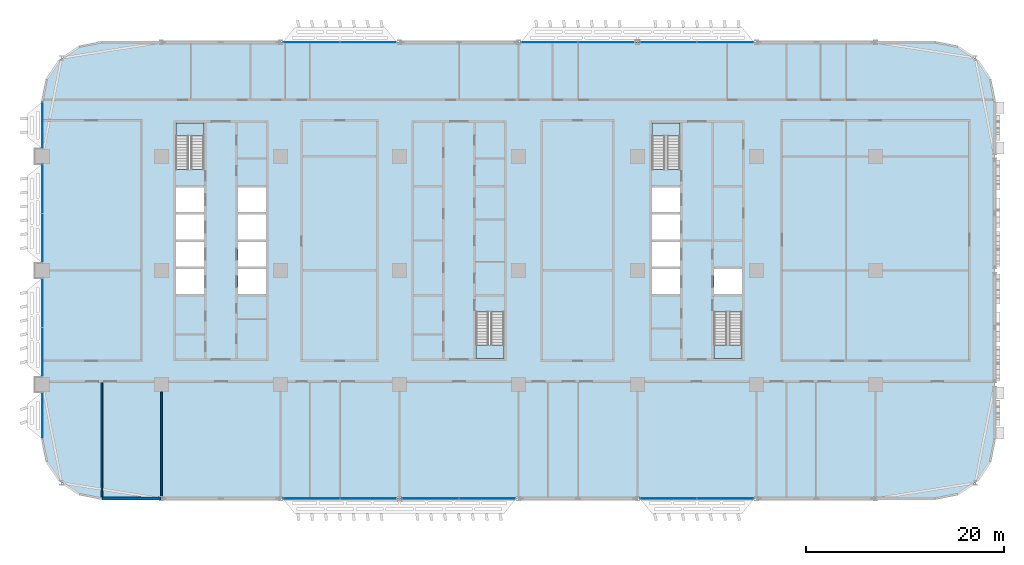
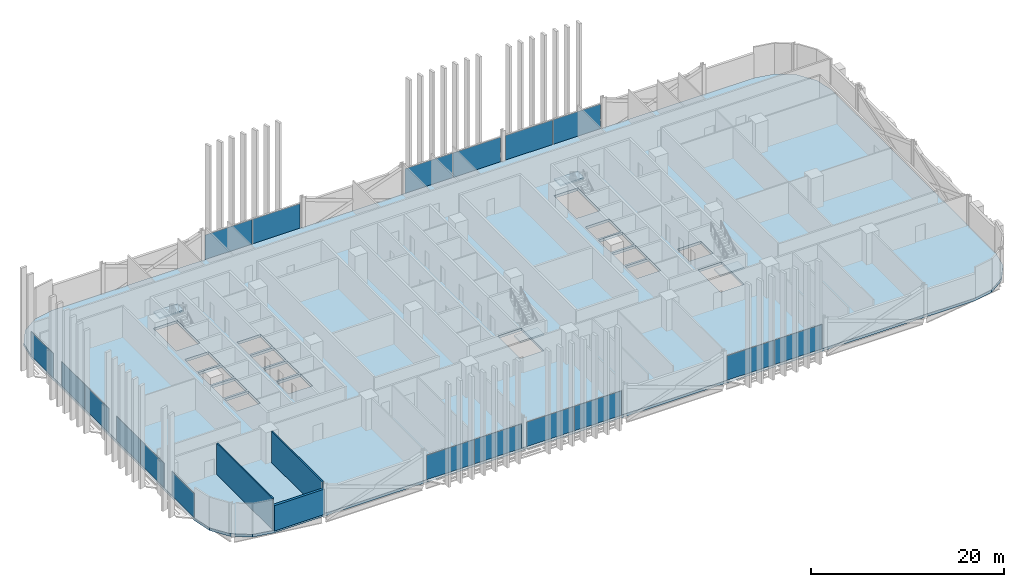
# One storey, part 11 of 29: 18 plates, 5 slabs, 3 walls, 14 elements without a shape of their own.
"""IFC4 building model written with IfcOpenShell, lengths in metres."""

from ifc_helpers import new_model, si_unit, direction, frame, frame_2d, origin, origin_2d, place, context, subcontext, project, spatial, polyline, rectangle, outline, extrude, material, layer, layer_set, type_object, element, aggregate, save


model = new_model("IFC4")

# Units and contexts
model_context = context("Model", 3, precision=1e-05, world=origin(), true_north=direction((0.0, 1.0)))
body_context = subcontext(model_context, "Body", "Model", "MODEL_VIEW")
ifc_project = project(units=[si_unit("LENGTHUNIT", "METRE"), si_unit("AREAUNIT", "SQUARE_METRE"), si_unit("VOLUMEUNIT", "CUBIC_METRE"), si_unit("PLANEANGLEUNIT", "RADIAN"), si_unit("MASSUNIT", "GRAM", prefix="KILO")], contexts=[model_context])

# Site, building, storey
site_placement = place(None, origin())
site = spatial("IfcSite", under=ifc_project, at=site_placement, CompositionType="ELEMENT")
building_placement = place(site_placement, origin())
building = spatial("IfcBuilding", under=site, at=building_placement, Name="Mahtab Terrace Research Tower", CompositionType="ELEMENT")
storey_placement = place(building_placement, frame((0.0, 0.0, 63.199951171875)))
storey = spatial("IfcBuildingStorey", under=building, at=storey_placement, Name="L14", CompositionType="ELEMENT", Elevation=63.199951171875)

# Stair, slab
ifc_material_1 = material(Name="Exit stair half-turn")
stair_type = type_object("IfcStairType", Name="Exit stair half-turn", PredefinedType="HALF_TURN_STAIR", material=ifc_material_1)
stair_1_placement = place(storey_placement, origin())
stair_1 = element("IfcStair", 1, at=stair_1_placement, inside=storey, type_object=stair_type, Name="L14 Protected exit stair ST1", PredefinedType="HALF_TURN_STAIR")
ifc_material_2 = material(Name="Concrete C40/50", Category="concrete")
ifc_layer_1 = layer(ifc_material_2, 0.199951171875)
ifc_layer_set_1 = layer_set([ifc_layer_1], Name="Exit stair landing 200")
slab_type_1 = type_object("IfcSlabType", Name="Exit stair landing 200", PredefinedType="LANDING", material=ifc_layer_set_1)
slab_1_placement = place(storey_placement, frame((0.0, 0.0, 1.949951171875)))
slab_1 = element("IfcSlab", 2, at=slab_1_placement, type_object=slab_type_1, Name="ST1 landing 1", PredefinedType="LANDING", context=body_context, shape_type="SweptSolid", body=[
    extrude(outline(polyline([(-25.699951171875, 13.534912109375), (-25.699951171875, 14.875), (-28.550048828125, 14.875), (-28.550048828125, 13.534912109375), (-25.699951171875, 13.534912109375)])), origin(), (0.0, 0.0, 1.0), 0.2001953125),
])
aggregate(stair_1, [slab_1])

stair_2_placement = place(storey_placement, origin())
stair_2 = element("IfcStair", 3, at=stair_2_placement, inside=storey, type_object=stair_type, Name="L14 Protected exit stair ST2", PredefinedType="HALF_TURN_STAIR")
slab_2_placement = place(storey_placement, frame((0.0, 0.0, 1.949951171875)))
slab_2 = element("IfcSlab", 4, at=slab_2_placement, type_object=slab_type_1, Name="ST2 landing 1", PredefinedType="LANDING", context=body_context, shape_type="SweptSolid", body=[
    extrude(outline(polyline([(1.699951171875, -7.534912109375), (1.699951171875, -8.875), (4.550048828125, -8.875), (4.550048828125, -7.534912109375), (1.699951171875, -7.534912109375)])), origin(), (0.0, 0.0, 1.0), 0.2001953125),
])
aggregate(stair_2, [slab_2])

stair_3_placement = place(storey_placement, origin())
stair_3 = element("IfcStair", 5, at=stair_3_placement, inside=storey, type_object=stair_type, Name="L14 Protected exit stair ST3", PredefinedType="HALF_TURN_STAIR")
slab_3_placement = place(storey_placement, frame((0.0, 0.0, 1.949951171875)))
slab_3 = element("IfcSlab", 6, at=slab_3_placement, type_object=slab_type_1, Name="ST3 landing 1", PredefinedType="LANDING", context=body_context, shape_type="SweptSolid", body=[
    extrude(outline(polyline([(22.300048828125, 13.534912109375), (22.300048828125, 14.875), (19.449951171875, 14.875), (19.449951171875, 13.534912109375), (22.300048828125, 13.534912109375)])), origin(), (0.0, 0.0, 1.0), 0.2001953125),
])
aggregate(stair_3, [slab_3])

stair_4_placement = place(storey_placement, origin())
stair_4 = element("IfcStair", 7, at=stair_4_placement, inside=storey, type_object=stair_type, Name="L14 Protected exit stair ST4", PredefinedType="HALF_TURN_STAIR")
slab_4_placement = place(storey_placement, frame((0.0, 0.0, 1.949951171875)))
slab_4 = element("IfcSlab", 8, at=slab_4_placement, type_object=slab_type_1, Name="ST4 landing 1", PredefinedType="LANDING", context=body_context, shape_type="SweptSolid", body=[
    extrude(outline(polyline([(25.699951171875, -7.534912109375), (25.699951171875, -8.875), (28.550048828125, -8.875), (28.550048828125, -7.534912109375), (25.699951171875, -7.534912109375)])), origin(), (0.0, 0.0, 1.0), 0.2001953125),
])
aggregate(stair_4, [slab_4])

# Curtain wall, plates
ifc_material_3 = material(Name="Laboratory ribbon curtain wall")
curtain_wall_type = type_object("IfcCurtainWallType", Name="Laboratory ribbon curtain wall", PredefinedType="NOTDEFINED", material=ifc_material_3)
curtain_wall_1_placement = place(storey_placement, origin())
curtain_wall_1 = element("IfcCurtainWall", 9, at=curtain_wall_1_placement, inside=storey, type_object=curtain_wall_type, Name="EN.L14.3.5", PredefinedType="NOTDEFINED")
ifc_material_4 = material(Name="Dark glazing", Category="glass")
ifc_layer_2 = layer(ifc_material_4, 0.031982421875)
ifc_layer_set_2 = layer_set([ifc_layer_2], Name="Laboratory ribbon curtain wall glazing panel")
plate_type = type_object("IfcPlateType", Name="Laboratory ribbon curtain wall glazing panel", PredefinedType="CURTAIN_PANEL", material=ifc_layer_set_2)
plate_1_placement = place(storey_placement, frame((26.86474609375, 23.0, 0.0), z_axis=(0.0, 0.0, 1.0), x_axis=(-1.0, 0.0, 0.0)))
plate_1 = element("IfcPlate", 10, at=plate_1_placement, type_object=plate_type, Name="CWL-2 panel 1", PredefinedType="CURTAIN_PANEL", context=body_context, shape_type="SweptSolid", body=[
    extrude(rectangle(XDim=5.66455078125, YDim=0.031982421875, at=origin_2d()), origin(), (0.0, 0.0, 1.0), 3.10302734375),
])
plate_2_placement = place(storey_placement, frame((21.13525390625, 23.0, 0.0), z_axis=(0.0, 0.0, 1.0), x_axis=(-1.0, 0.0, 0.0)))
plate_2 = element("IfcPlate", 11, at=plate_2_placement, type_object=plate_type, Name="CWL-2 panel 2", PredefinedType="CURTAIN_PANEL", context=body_context, shape_type="SweptSolid", body=[
    extrude(rectangle(XDim=5.66455078125, YDim=0.031982421875, at=origin_2d()), origin(), (0.0, 0.0, 1.0), 3.10302734375),
])
aggregate(curtain_wall_1, [plate_1, plate_2])

curtain_wall_2_placement = place(storey_placement, origin())
curtain_wall_2 = element("IfcCurtainWall", 12, at=curtain_wall_2_placement, inside=storey, type_object=curtain_wall_type, Name="EN.L14.3.6", PredefinedType="NOTDEFINED")
plate_3_placement = place(storey_placement, frame((14.86474609375, 23.0, 0.0), z_axis=(0.0, 0.0, 1.0), x_axis=(-1.0, 0.0, 0.0)))
plate_3 = element("IfcPlate", 13, at=plate_3_placement, type_object=plate_type, Name="CWL-2 panel 1", PredefinedType="CURTAIN_PANEL", context=body_context, shape_type="SweptSolid", body=[
    extrude(rectangle(XDim=5.66455078125, YDim=0.031982421875, at=origin_2d()), origin(), (0.0, 0.0, 1.0), 3.10302734375),
])
plate_4_placement = place(storey_placement, frame((9.13525390625, 23.0, 0.0), z_axis=(0.0, 0.0, 1.0), x_axis=(-1.0, 0.0, 0.0)))
plate_4 = element("IfcPlate", 14, at=plate_4_placement, type_object=plate_type, Name="CWL-2 panel 2", PredefinedType="CURTAIN_PANEL", context=body_context, shape_type="SweptSolid", body=[
    extrude(rectangle(XDim=5.66455078125, YDim=0.031982421875, at=origin_2d()), origin(), (0.0, 0.0, 1.0), 3.10302734375),
])
aggregate(curtain_wall_2, [plate_3, plate_4])

curtain_wall_3_placement = place(storey_placement, origin())
curtain_wall_3 = element("IfcCurtainWall", 15, at=curtain_wall_3_placement, inside=storey, type_object=curtain_wall_type, Name="EN.L14.3.8", PredefinedType="NOTDEFINED")
plate_5_placement = place(storey_placement, frame((-9.13525390625, 23.0, 0.0), z_axis=(0.0, 0.0, 1.0), x_axis=(-1.0, 0.0, 0.0)))
plate_5 = element("IfcPlate", 16, at=plate_5_placement, type_object=plate_type, Name="CWL-2 panel 1", PredefinedType="CURTAIN_PANEL", context=body_context, shape_type="SweptSolid", body=[
    extrude(rectangle(XDim=5.66455078125, YDim=0.031982421875, at=origin_2d()), origin(), (0.0, 0.0, 1.0), 3.10302734375),
])
plate_6_placement = place(storey_placement, frame((-14.86474609375, 23.0, 0.0), z_axis=(0.0, 0.0, 1.0), x_axis=(-1.0, 0.0, 0.0)))
plate_6 = element("IfcPlate", 17, at=plate_6_placement, type_object=plate_type, Name="CWL-2 panel 2", PredefinedType="CURTAIN_PANEL", context=body_context, shape_type="SweptSolid", body=[
    extrude(rectangle(XDim=5.66455078125, YDim=0.031982421875, at=origin_2d()), origin(), (0.0, 0.0, 1.0), 3.10302734375),
])
aggregate(curtain_wall_3, [plate_5, plate_6])

# Curtain wall, plate
curtain_wall_4_placement = place(storey_placement, origin())
curtain_wall_4 = element("IfcCurtainWall", 18, at=curtain_wall_4_placement, inside=storey, type_object=curtain_wall_type, Name="EN.L14.8.15", PredefinedType="NOTDEFINED")
plate_7_placement = place(storey_placement, frame((-42.0, 14.625, 0.0), z_axis=(0.0, 0.0, 1.0), x_axis=(0.0, -1.0, 0.0)))
plate_7 = element("IfcPlate", 19, at=plate_7_placement, type_object=plate_type, Name="CWL-2 panel 1", PredefinedType="CURTAIN_PANEL", context=body_context, shape_type="SweptSolid", body=[
    extrude(rectangle(XDim=4.6201171875, YDim=0.031982421875, at=origin_2d()), origin(), (0.0, 0.0, 1.0), 3.10302734375),
])
aggregate(curtain_wall_4, [plate_7])

# Curtain wall, plates
curtain_wall_5_placement = place(storey_placement, origin())
curtain_wall_5 = element("IfcCurtainWall", 20, at=curtain_wall_5_placement, inside=storey, type_object=curtain_wall_type, Name="EN.L14.8.16", PredefinedType="NOTDEFINED")
plate_8_placement = place(storey_placement, frame((-42.0, 8.233642578125, 0.0), z_axis=(0.0, 0.0, 1.0), x_axis=(0.0, -1.0, 0.0)))
plate_8 = element("IfcPlate", 21, at=plate_8_placement, type_object=plate_type, Name="CWL-2 panel 1", PredefinedType="CURTAIN_PANEL", context=body_context, shape_type="SweptSolid", body=[
    extrude(rectangle(XDim=4.902587890625, YDim=0.031982421875, at=origin_2d()), origin(), (0.0, 0.0, 1.0), 3.10302734375),
])
plate_9_placement = place(storey_placement, frame((-42.0, 3.266357421875, 0.0), z_axis=(0.0, 0.0, 1.0), x_axis=(0.0, -1.0, 0.0)))
plate_9 = element("IfcPlate", 22, at=plate_9_placement, type_object=plate_type, Name="CWL-2 panel 2", PredefinedType="CURTAIN_PANEL", context=body_context, shape_type="SweptSolid", body=[
    extrude(rectangle(XDim=4.902587890625, YDim=0.031982421875, at=origin_2d()), origin(), (0.0, 0.0, 1.0), 3.10302734375),
])
aggregate(curtain_wall_5, [plate_8, plate_9])

curtain_wall_6_placement = place(storey_placement, origin())
curtain_wall_6 = element("IfcCurtainWall", 23, at=curtain_wall_6_placement, inside=storey, type_object=curtain_wall_type, Name="EN.L14.8.17", PredefinedType="NOTDEFINED")
plate_10_placement = place(storey_placement, frame((-42.0, -3.266357421875, 0.0), z_axis=(0.0, 0.0, 1.0), x_axis=(0.0, -1.0, 0.0)))
plate_10 = element("IfcPlate", 24, at=plate_10_placement, type_object=plate_type, Name="CWL-2 panel 1", PredefinedType="CURTAIN_PANEL", context=body_context, shape_type="SweptSolid", body=[
    extrude(rectangle(XDim=4.902587890625, YDim=0.031982421875, at=origin_2d()), origin(), (0.0, 0.0, 1.0), 3.10302734375),
])
plate_11_placement = place(storey_placement, frame((-42.0, -8.233642578125, 0.0), z_axis=(0.0, 0.0, 1.0), x_axis=(0.0, -1.0, 0.0)))
plate_11 = element("IfcPlate", 25, at=plate_11_placement, type_object=plate_type, Name="CWL-2 panel 2", PredefinedType="CURTAIN_PANEL", context=body_context, shape_type="SweptSolid", body=[
    extrude(rectangle(XDim=4.902587890625, YDim=0.031982421875, at=origin_2d()), origin(), (0.0, 0.0, 1.0), 3.10302734375),
])
aggregate(curtain_wall_6, [plate_10, plate_11])

# Curtain wall, plate
curtain_wall_7_placement = place(storey_placement, origin())
curtain_wall_7 = element("IfcCurtainWall", 26, at=curtain_wall_7_placement, inside=storey, type_object=curtain_wall_type, Name="EN.L14.8.18", PredefinedType="NOTDEFINED")
plate_12_placement = place(storey_placement, frame((-42.0, -14.625, 0.0), z_axis=(0.0, 0.0, 1.0), x_axis=(0.0, -1.0, 0.0)))
plate_12 = element("IfcPlate", 27, at=plate_12_placement, type_object=plate_type, Name="CWL-2 panel 1", PredefinedType="CURTAIN_PANEL", context=body_context, shape_type="SweptSolid", body=[
    extrude(rectangle(XDim=4.6201171875, YDim=0.031982421875, at=origin_2d()), origin(), (0.0, 0.0, 1.0), 3.10302734375),
])
aggregate(curtain_wall_7, [plate_12])

# Curtain wall, plates
curtain_wall_8_placement = place(storey_placement, origin())
curtain_wall_8 = element("IfcCurtainWall", 28, at=curtain_wall_8_placement, inside=storey, type_object=curtain_wall_type, Name="EN.L14.13.25", PredefinedType="NOTDEFINED")
plate_13_placement = place(storey_placement, frame((-14.86474609375, -23.0, 0.0), z_axis=(0.0, 0.0, 1.0), x_axis=(1.0, 0.0, 0.0)))
plate_13 = element("IfcPlate", 29, at=plate_13_placement, type_object=plate_type, Name="CWL-2 panel 1", PredefinedType="CURTAIN_PANEL", context=body_context, shape_type="SweptSolid", body=[
    extrude(rectangle(XDim=5.66455078125, YDim=0.031982421875, at=origin_2d()), origin(), (0.0, 0.0, 1.0), 3.10302734375),
])
plate_14_placement = place(storey_placement, frame((-9.13525390625, -23.0, 0.0), z_axis=(0.0, 0.0, 1.0), x_axis=(1.0, 0.0, 0.0)))
plate_14 = element("IfcPlate", 30, at=plate_14_placement, type_object=plate_type, Name="CWL-2 panel 2", PredefinedType="CURTAIN_PANEL", context=body_context, shape_type="SweptSolid", body=[
    extrude(rectangle(XDim=5.66455078125, YDim=0.031982421875, at=origin_2d()), origin(), (0.0, 0.0, 1.0), 3.10302734375),
])
aggregate(curtain_wall_8, [plate_13, plate_14])

curtain_wall_9_placement = place(storey_placement, origin())
curtain_wall_9 = element("IfcCurtainWall", 31, at=curtain_wall_9_placement, inside=storey, type_object=curtain_wall_type, Name="EN.L14.13.26", PredefinedType="NOTDEFINED")
plate_15_placement = place(storey_placement, frame((-2.86474609375, -23.0, 0.0), z_axis=(0.0, 0.0, 1.0), x_axis=(1.0, 0.0, 0.0)))
plate_15 = element("IfcPlate", 32, at=plate_15_placement, type_object=plate_type, Name="CWL-2 panel 1", PredefinedType="CURTAIN_PANEL", context=body_context, shape_type="SweptSolid", body=[
    extrude(rectangle(XDim=5.66455078125, YDim=0.031982421875, at=origin_2d()), origin(), (0.0, 0.0, 1.0), 3.10302734375),
])
plate_16_placement = place(storey_placement, frame((2.86474609375, -23.0, 0.0), z_axis=(0.0, 0.0, 1.0), x_axis=(1.0, 0.0, 0.0)))
plate_16 = element("IfcPlate", 33, at=plate_16_placement, type_object=plate_type, Name="CWL-2 panel 2", PredefinedType="CURTAIN_PANEL", context=body_context, shape_type="SweptSolid", body=[
    extrude(rectangle(XDim=5.66455078125, YDim=0.031982421875, at=origin_2d()), origin(), (0.0, 0.0, 1.0), 3.10302734375),
])
aggregate(curtain_wall_9, [plate_15, plate_16])

curtain_wall_10_placement = place(storey_placement, origin())
curtain_wall_10 = element("IfcCurtainWall", 34, at=curtain_wall_10_placement, inside=storey, type_object=curtain_wall_type, Name="EN.L14.13.28", PredefinedType="NOTDEFINED")
plate_17_placement = place(storey_placement, frame((21.13525390625, -23.0, 0.0), z_axis=(0.0, 0.0, 1.0), x_axis=(1.0, 0.0, 0.0)))
plate_17 = element("IfcPlate", 35, at=plate_17_placement, type_object=plate_type, Name="CWL-2 panel 1", PredefinedType="CURTAIN_PANEL", context=body_context, shape_type="SweptSolid", body=[
    extrude(rectangle(XDim=5.66455078125, YDim=0.031982421875, at=origin_2d()), origin(), (0.0, 0.0, 1.0), 3.10302734375),
])
plate_18_placement = place(storey_placement, frame((26.86474609375, -23.0, 0.0), z_axis=(0.0, 0.0, 1.0), x_axis=(1.0, 0.0, 0.0)))
plate_18 = element("IfcPlate", 36, at=plate_18_placement, type_object=plate_type, Name="CWL-2 panel 2", PredefinedType="CURTAIN_PANEL", context=body_context, shape_type="SweptSolid", body=[
    extrude(rectangle(XDim=5.66455078125, YDim=0.031982421875, at=origin_2d()), origin(), (0.0, 0.0, 1.0), 3.10302734375),
])
aggregate(curtain_wall_10, [plate_17, plate_18])

# Slab
ifc_layer_3 = layer(ifc_material_2, 0.340087890625)
ifc_layer_set_3 = layer_set([ifc_layer_3], Name="PT flat slab 340")
slab_type_2 = type_object("IfcSlabType", Name="PT flat slab 340", PredefinedType="FLOOR", material=ifc_layer_set_3)
slab_5_placement = place(storey_placement, frame((0.0, 0.0, -0.33984375)))
element("IfcSlab", 37, at=slab_5_placement, inside=storey, type_object=slab_type_2, Name="Floor slab L14", PredefinedType="FLOOR", context=body_context, shape_type="SweptSolid", body=[
    extrude(outline(polyline([(53.54296875, 19.2958984375), (52.242919921875, 21.242919921875), (50.2958984375, 22.54296875), (48.0, 23.0), (-36.0, 23.0), (-38.2958984375, 22.54296875), (-40.242919921875, 21.242919921875), (-41.54296875, 19.2958984375), (-42.0, 17.0), (-42.0, -17.0), (-41.54296875, -19.2958984375), (-40.242919921875, -21.242919921875), (-38.2958984375, -22.54296875), (-36.0, -23.0), (48.0, -23.0), (50.2958984375, -22.54296875), (52.242919921875, -21.242919921875), (53.54296875, -19.2958984375), (54.0, -17.0), (54.0, 17.0), (53.54296875, 19.2958984375)]), holes=[polyline([(-28.550048828125, -2.375), (-28.550048828125, 0.125), (-25.699951171875, 0.125), (-25.699951171875, -2.375), (-28.550048828125, -2.375)]), polyline([(-22.300048828125, -2.375), (-22.300048828125, 0.125), (-19.449951171875, 0.125), (-19.449951171875, -2.375), (-22.300048828125, -2.375)]), polyline([(-28.550048828125, 0.375), (-28.550048828125, 2.875), (-25.699951171875, 2.875), (-25.699951171875, 0.375), (-28.550048828125, 0.375)]), polyline([(-22.300048828125, 0.375), (-22.300048828125, 2.875), (-19.449951171875, 2.875), (-19.449951171875, 0.375), (-22.300048828125, 0.375)]), polyline([(-28.550048828125, 3.125), (-28.550048828125, 5.625), (-25.699951171875, 5.625), (-25.699951171875, 3.125), (-28.550048828125, 3.125)]), polyline([(-22.300048828125, 3.125), (-22.300048828125, 5.625), (-19.449951171875, 5.625), (-19.449951171875, 3.125), (-22.300048828125, 3.125)]), polyline([(-28.550048828125, 5.875), (-28.550048828125, 8.375), (-25.699951171875, 8.375), (-25.699951171875, 5.875), (-28.550048828125, 5.875)]), polyline([(-22.300048828125, 5.875), (-22.300048828125, 8.375), (-19.449951171875, 8.375), (-19.449951171875, 5.875), (-22.300048828125, 5.875)]), polyline([(-28.550048828125, 10.177001953125), (-28.550048828125, 14.875), (-25.699951171875, 14.875), (-25.699951171875, 10.177001953125), (-28.550048828125, 10.177001953125)]), polyline([(1.699951171875, -8.875), (1.699951171875, -4.177001953125), (4.550048828125, -4.177001953125), (4.550048828125, -8.875), (1.699951171875, -8.875)]), polyline([(25.699951171875, -8.875), (25.699951171875, -4.177001953125), (28.550048828125, -4.177001953125), (28.550048828125, -8.875), (25.699951171875, -8.875)]), polyline([(19.449951171875, -2.375), (19.449951171875, 0.125), (22.300048828125, 0.125), (22.300048828125, -2.375), (19.449951171875, -2.375)]), polyline([(25.699951171875, -2.375), (25.699951171875, 0.125), (28.550048828125, 0.125), (28.550048828125, -2.375), (25.699951171875, -2.375)]), polyline([(19.449951171875, 0.375), (19.449951171875, 2.875), (22.300048828125, 2.875), (22.300048828125, 0.375), (19.449951171875, 0.375)]), polyline([(19.449951171875, 3.125), (19.449951171875, 5.625), (22.300048828125, 5.625), (22.300048828125, 3.125), (19.449951171875, 3.125)]), polyline([(19.449951171875, 8.375), (22.300048828125, 8.375), (22.300048828125, 5.875), (19.449951171875, 5.875), (19.449951171875, 8.375)]), polyline([(19.449951171875, 14.875), (22.300048828125, 14.875), (22.300048828125, 10.177001953125), (19.449951171875, 10.177001953125), (19.449951171875, 14.875)])]), origin(), (0.0, 0.0, 1.0), 0.33984375),
])

# Walls
ifc_material_5 = material(Name="Black aluminium cladding panel", Category="aluminium")
ifc_layer_4 = layer(ifc_material_5, 0.300048828125)
ifc_layer_set_4 = layer_set([ifc_layer_4], Name="Opaque facade wall 300")
wall_type_1 = type_object("IfcWallType", Name="Opaque facade wall 300", PredefinedType="NOTDEFINED", material=ifc_layer_set_4)
wall_1_placement = place(storey_placement, frame((-36.0, -23.0, 0.0), z_axis=(0.0, 0.0, 1.0), x_axis=(1.0, 0.0, 0.0)))
element("IfcWall", 38, at=wall_1_placement, inside=storey, type_object=wall_type_1, Name="Opaque facade wall L14 S23", PredefinedType="NOTDEFINED", context=body_context, shape_type="SweptSolid", body=[
    extrude(rectangle(XDim=5.97607421875, YDim=0.300048828125, at=frame_2d((2.988037109375, 0.0))), origin(), (0.0, 0.0, 1.0), 3.203125),
])
ifc_material_6 = material(Name="Gypsum board partition on steel studs", Category="steel")
ifc_layer_5 = layer(ifc_material_6, 0.14990234375)
ifc_layer_set_5 = layer_set([ifc_layer_5], Name="WALL PARTITION 150")
wall_type_2 = type_object("IfcWallType", Name="WALL PARTITION 150", PredefinedType="PARTITIONING", material=ifc_layer_set_5)
wall_2_placement = place(storey_placement, frame((-36.0, -22.84716796875, 0.0), z_axis=(0.0, 0.0, 1.0), x_axis=(0.0, 1.0, 0.0)))
element("IfcWall", 39, at=wall_2_placement, inside=storey, type_object=wall_type_2, Name="L14-W026", PredefinedType="PARTITIONING", context=body_context, shape_type="SweptSolid", body=[
    extrude(rectangle(XDim=11.547119140625, YDim=0.14990234375, at=frame_2d((5.7734375, 0.0))), origin(), (0.0, 0.0, 1.0), 3.9599609375),
])
wall_3_placement = place(storey_placement, frame((-30.0, -22.85009765625, 0.0), z_axis=(0.0, 0.0, 1.0), x_axis=(0.0, 1.0, 0.0)))
element("IfcWall", 40, at=wall_3_placement, inside=storey, type_object=wall_type_2, Name="L14-W028", PredefinedType="PARTITIONING", context=body_context, shape_type="SweptSolid", body=[
    extrude(rectangle(XDim=10.60009765625, YDim=0.14990234375, at=frame_2d((5.300048828125, 0.0))), origin(), (0.0, 0.0, 1.0), 3.9599609375),
])

save(model, "model.ifc")
